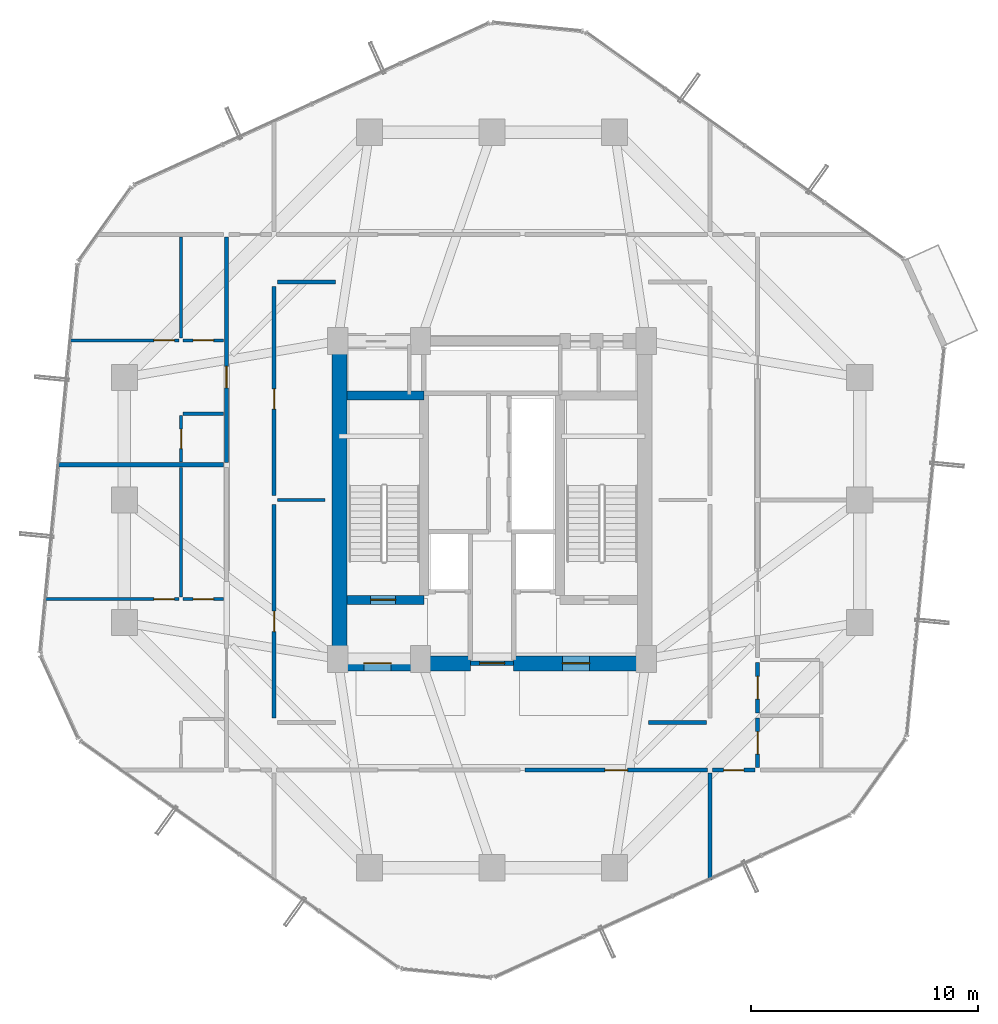
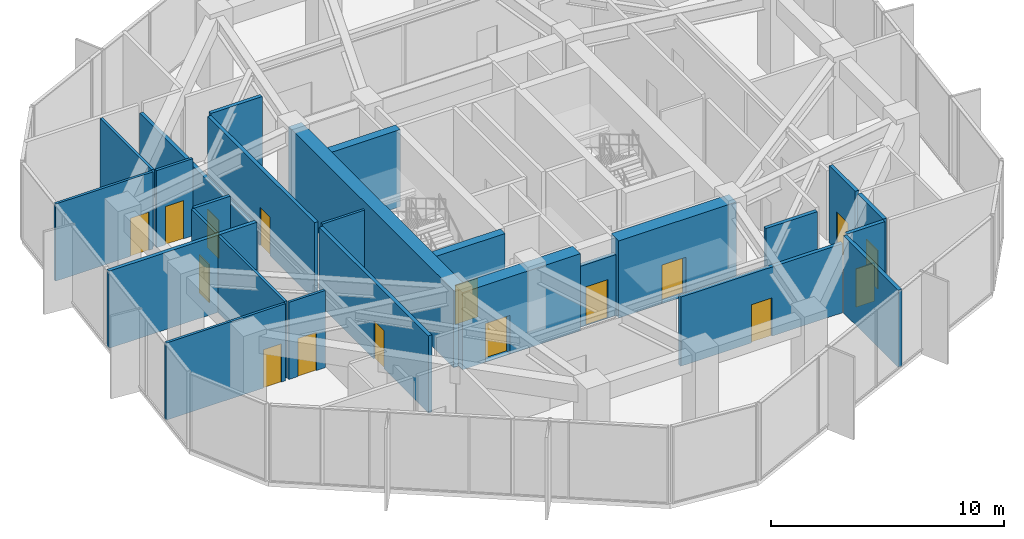
# One storey, part 21 of 25: 26 walls, 16 doors, 16 openings.
"""IFC4 building model written with IfcOpenShell, lengths in metres."""

from ifc_helpers import new_model, si_unit, direction, frame, frame_2d, origin, place, context, subcontext, project, spatial, rectangle, extrude, source, transform, mapped, material, layer, layer_set, type_object, element, fill, save


model = new_model("IFC4")

# Units and contexts
model_context = context("Model", 3, precision=1e-05, world=origin(), true_north=direction((0.0, 1.0)))
body_context = subcontext(model_context, "Body", "Model", "MODEL_VIEW")
ifc_project = project(units=[si_unit("LENGTHUNIT", "METRE"), si_unit("AREAUNIT", "SQUARE_METRE"), si_unit("VOLUMEUNIT", "CUBIC_METRE"), si_unit("PLANEANGLEUNIT", "RADIAN"), si_unit("MASSUNIT", "GRAM", prefix="KILO")], contexts=[model_context])

# Site, building, storey
site_placement = place(None, origin())
site = spatial("IfcSite", under=ifc_project, at=site_placement, CompositionType="ELEMENT")
building_placement = place(site_placement, origin())
building = spatial("IfcBuilding", under=site, at=building_placement, Name="Veraguas Prism Commons", CompositionType="ELEMENT")
storey_placement = place(building_placement, frame((0.0, 0.0, 108.949951171875)))
storey = spatial("IfcBuildingStorey", under=building, at=storey_placement, Name="L30", CompositionType="ELEMENT", Elevation=108.949951171875)

# Wall, opening, door
ifc_material_1 = material(Name="Concrete C50/60", Category="concrete")
ifc_layer_1 = layer(ifc_material_1, 0.39990234375, Name="Clinic and Mid Core Shear Wall RC 400", Category="concrete")
ifc_layer_set_1 = layer_set([ifc_layer_1], Name="Concrete C50/60")
wall_type_1 = type_object("IfcWallType", Name="Clinic and Mid Core Shear Wall RC 400", PredefinedType="SHEAR", material=ifc_layer_set_1)
wall_1_placement = place(storey_placement, frame((17.60009765625, 19.60009765625, 0.0), z_axis=(0.0, 0.0, 1.0), x_axis=(1.0, 0.0, 0.0)))
wall_1 = element("IfcWall", 1, at=wall_1_placement, inside=storey, type_object=wall_type_1, Name="Stair ST-01 South Shear Wall L30", PredefinedType="SHEAR", context=body_context, shape_type="SweptSolid", body=[
    extrude(rectangle(XDim=3.39990234375, YDim=0.39990234375, at=frame_2d((1.699951171875, 0.0))), origin(), (0.0, 0.0, 1.0), 4.050048828125),
])
opening_1_placement = place(wall_1_placement, frame((1.050048828125, 0.0, 0.0)))
opening_1 = element("IfcOpeningElement", 2, at=opening_1_placement, cuts=wall_1, Name="Opening DR-05", PredefinedType="OPENING", context=body_context, shape_type="SweptSolid", body=[
    extrude(rectangle(XDim=1.10009765625, YDim=2.030029296875, at=frame_2d((0.550048828125, 1.01513671875))), frame((0.0, 0.2099609375, 0.0), z_axis=(0.0, -1.0, 0.0), x_axis=(1.0, 0.0, 0.0)), (0.0, 0.0, 1.0), 0.419921875),
])
ifc_material_2 = material(Name="Steel fire-rated door assembly", Category="steel")
door_type_1 = type_object("IfcDoorType", Name="Protected Stair and Refuge Fire Door 1100x2030", OperationType="NOTDEFINED", PredefinedType="DOOR", material=ifc_material_2)
shared_shape_1 = source(origin(), body_context, "Body", "SweptSolid", [
    extrude(rectangle(XDim=1.10009765625, YDim=2.030029296875, at=frame_2d((0.550048828125, 1.01513671875))), frame((0.0, 0.02490234375, 0.0), z_axis=(0.0, -1.0, 0.0), x_axis=(1.0, 0.0, 0.0)), (0.0, 0.0, 1.0), 0.050048828125),
])
door_1_placement = place(opening_1_placement, origin())
door_1 = element("IfcDoor", 3, at=door_1_placement, inside=storey, type_object=door_type_1, Name="Stair ST-01 Enclosure Door L30", OperationType="SINGLE_SWING_RIGHT", OverallHeight=2.030029296875, OverallWidth=1.10009765625, PredefinedType="DOOR", context=body_context, shape_type="MappedRepresentation", body=[
    mapped(shared_shape_1, transform((0.0, 0.0, 0.0), scale=1.0)),
])
fill(opening_1, door_1)

# Walls
wall_2_placement = place(storey_placement, frame((17.60009765625, 28.60009765625, 0.0), z_axis=(0.0, 0.0, 1.0), x_axis=(1.0, 0.0, 0.0)))
element("IfcWall", 4, at=wall_2_placement, inside=storey, type_object=wall_type_1, Name="Stair ST-01 North Shear Wall L30", PredefinedType="SHEAR", context=body_context, shape_type="SweptSolid", body=[
    extrude(rectangle(XDim=3.39990234375, YDim=0.39990234375, at=frame_2d((1.699951171875, 0.0))), origin(), (0.0, 0.0, 1.0), 4.050048828125),
])
ifc_material_3 = material(Name="Concrete C55/67", Category="concrete")
ifc_layer_2 = layer(ifc_material_3, 0.64990234375, Name="Core Outer Shear Wall Mid RC 650", Category="concrete")
ifc_layer_set_2 = layer_set([ifc_layer_2], Name="Concrete C55/67")
wall_type_2 = type_object("IfcWallType", Name="Core Outer Shear Wall Mid RC 650", PredefinedType="SHEAR", material=ifc_layer_set_2)
wall_3_placement = place(storey_placement, frame((17.27490234375, 16.800048828125, 0.0), z_axis=(0.0, 0.0, 1.0), x_axis=(0.0, 1.0, 0.0)))
element("IfcWall", 5, at=wall_3_placement, inside=storey, type_object=wall_type_2, Name="Central Core West Shear Wall L30", PredefinedType="SHEAR", context=body_context, shape_type="SweptSolid", body=[
    extrude(rectangle(XDim=14.199951171875, YDim=0.64990234375, at=frame_2d((7.10009765625, 0.0))), origin(), (0.0, 0.0, 1.0), 4.050048828125),
])

# Wall, opening, door
wall_4_placement = place(storey_placement, frame((17.199951171875, 16.800048828125, 0.0), z_axis=(0.0, 0.0, 1.0), x_axis=(1.0, 0.0, 0.0)))
wall_4 = element("IfcWall", 6, at=wall_4_placement, inside=storey, type_object=wall_type_2, Name="Central Core South-West Shear Wall L30", PredefinedType="SHEAR", context=body_context, shape_type="SweptSolid", body=[
    extrude(rectangle(XDim=5.85009765625, YDim=0.64990234375, at=frame_2d((2.925048828125, 0.0))), origin(), (0.0, 0.0, 1.0), 4.050048828125),
])
opening_2_placement = place(wall_4_placement, frame((1.14990234375, 0.0, 0.0)))
opening_2 = element("IfcOpeningElement", 7, at=opening_2_placement, cuts=wall_4, Name="Opening DR-06", PredefinedType="OPENING", context=body_context, shape_type="SweptSolid", body=[
    extrude(rectangle(XDim=1.199951171875, YDim=2.030029296875, at=frame_2d((0.60009765625, 1.01513671875))), frame((0.0, 0.3349609375, 0.0), z_axis=(0.0, -1.0, 0.0), x_axis=(1.0, 0.0, 0.0)), (0.0, 0.0, 1.0), 0.669921875),
])
door_type_2 = type_object("IfcDoorType", Name="Firefighting Lobby Smoke Door 1200x2030", OperationType="NOTDEFINED", PredefinedType="DOOR", material=ifc_material_2)
shared_shape_2 = source(origin(), body_context, "Body", "SweptSolid", [
    extrude(rectangle(XDim=1.199951171875, YDim=2.030029296875, at=frame_2d((0.60009765625, 1.01513671875))), frame((0.0, 0.02490234375, 0.0), z_axis=(0.0, -1.0, 0.0), x_axis=(1.0, 0.0, 0.0)), (0.0, 0.0, 1.0), 0.050048828125),
])
door_2_placement = place(opening_2_placement, origin())
door_2 = element("IfcDoor", 8, at=door_2_placement, inside=storey, type_object=door_type_2, Name="West FF Lobby Door L30", OperationType="SINGLE_SWING_RIGHT", OverallHeight=2.030029296875, OverallWidth=1.199951171875, PredefinedType="DOOR", context=body_context, shape_type="MappedRepresentation", body=[
    mapped(shared_shape_2, transform((0.0, 0.0, 0.0), scale=1.0)),
])
fill(opening_2, door_2)

wall_5_placement = place(storey_placement, frame((24.949951171875, 16.800048828125, 0.0), z_axis=(0.0, 0.0, 1.0), x_axis=(1.0, 0.0, 0.0)))
wall_5 = element("IfcWall", 9, at=wall_5_placement, inside=storey, type_object=wall_type_2, Name="Central Core South-East Shear Wall L30", PredefinedType="SHEAR", context=body_context, shape_type="SweptSolid", body=[
    extrude(rectangle(XDim=5.85009765625, YDim=0.64990234375, at=frame_2d((2.925048828125, 0.0))), origin(), (0.0, 0.0, 1.0), 4.050048828125),
])
opening_3_placement = place(wall_5_placement, frame((2.14990234375, 0.0, 0.0)))
opening_3 = element("IfcOpeningElement", 10, at=opening_3_placement, cuts=wall_5, Name="Opening DR-06", PredefinedType="OPENING", context=body_context, shape_type="SweptSolid", body=[
    extrude(rectangle(XDim=1.199951171875, YDim=2.030029296875, at=frame_2d((0.60009765625, 1.01513671875))), frame((0.0, 0.3349609375, 0.0), z_axis=(0.0, -1.0, 0.0), x_axis=(1.0, 0.0, 0.0)), (0.0, 0.0, 1.0), 0.669921875),
])
door_3_placement = place(opening_3_placement, origin())
door_3 = element("IfcDoor", 11, at=door_3_placement, inside=storey, type_object=door_type_2, Name="East FF Lobby Door L30", OperationType="SINGLE_SWING_RIGHT", OverallHeight=2.030029296875, OverallWidth=1.199951171875, PredefinedType="DOOR", context=body_context, shape_type="MappedRepresentation", body=[
    mapped(shared_shape_2, transform((0.0, 0.0, 0.0), scale=1.0)),
])
fill(opening_3, door_3)

ifc_material_4 = material(Name="Autoclaved aerated masonry block 10 MPa", Category="masonry")
ifc_layer_3 = layer(ifc_material_4, 0.179931640625, Name="Corridor and Inter-Tenancy Partition 180", Category="masonry")
ifc_layer_set_3 = layer_set([ifc_layer_3], Name="Autoclaved aerated masonry block 10 MPa")
wall_type_3 = type_object("IfcWallType", Name="Corridor and Inter-Tenancy Partition 180", PredefinedType="PARTITIONING", material=ifc_layer_set_3)
wall_6_placement = place(storey_placement, frame((14.39990234375, 14.39990234375, 0.0), z_axis=(0.0, 0.0, 1.0), x_axis=(0.0, 1.0, 0.0)))
wall_6 = element("IfcWall", 12, at=wall_6_placement, inside=storey, type_object=wall_type_3, Name="WL-L30-IRW1", PredefinedType="PARTITIONING", context=body_context, shape_type="SweptSolid", body=[
    extrude(rectangle(XDim=9.400146484375, YDim=0.179931640625, at=frame_2d((4.7001953125, 0.0))), origin(), (0.0, 0.0, 1.0), 4.050048828125),
])
opening_4_placement = place(wall_6_placement, frame((3.800048828125, 0.0, 0.0)))
opening_4 = element("IfcOpeningElement", 13, at=opening_4_placement, cuts=wall_6, Name="Opening DR-14", PredefinedType="OPENING", context=body_context, shape_type="SweptSolid", body=[
    extrude(rectangle(XDim=0.89990234375, YDim=2.010009765625, at=frame_2d((0.449951171875, 1.0048828125))), frame((0.0, 0.099853515625, 0.0), z_axis=(0.0, -1.0, 0.0), x_axis=(1.0, 0.0, 0.0)), (0.0, 0.0, 1.0), 0.199951171875),
])
door_type_3 = type_object("IfcDoorType", Name="Core Service Room Fire Door 900x2010", OperationType="NOTDEFINED", PredefinedType="DOOR", material=ifc_material_2)
shared_shape_3 = source(origin(), body_context, "Body", "SweptSolid", [
    extrude(rectangle(XDim=0.89990234375, YDim=2.010009765625, at=frame_2d((0.449951171875, 1.0048828125))), frame((0.0, 0.02490234375, 0.0), z_axis=(0.0, -1.0, 0.0), x_axis=(1.0, 0.0, 0.0)), (0.0, 0.0, 1.0), 0.050048828125),
])
door_4_placement = place(opening_4_placement, origin())
door_4 = element("IfcDoor", 14, at=door_4_placement, inside=storey, type_object=door_type_3, Name="Residents Quiet Study Pod Door L30", OperationType="SINGLE_SWING_LEFT", OverallHeight=2.010009765625, OverallWidth=0.89990234375, PredefinedType="DOOR", context=body_context, shape_type="MappedRepresentation", body=[
    mapped(shared_shape_3, transform((0.0, 0.0, 0.0), scale=1.0)),
])
fill(opening_4, door_4)

wall_7_placement = place(storey_placement, frame((14.39990234375, 24.199951171875, 0.0), z_axis=(0.0, 0.0, 1.0), x_axis=(0.0, 1.0, 0.0)))
wall_7 = element("IfcWall", 15, at=wall_7_placement, inside=storey, type_object=wall_type_3, Name="WL-L30-IRW2", PredefinedType="PARTITIONING", context=body_context, shape_type="SweptSolid", body=[
    extrude(rectangle(XDim=9.199951171875, YDim=0.179931640625, at=frame_2d((4.60009765625, 0.0))), origin(), (0.0, 0.0, 1.0), 4.050048828125),
])
opening_5_placement = place(wall_7_placement, frame((3.800048828125, 0.0, 0.0)))
opening_5 = element("IfcOpeningElement", 16, at=opening_5_placement, cuts=wall_7, Name="Opening DR-14", PredefinedType="OPENING", context=body_context, shape_type="SweptSolid", body=[
    extrude(rectangle(XDim=0.89990234375, YDim=2.010009765625, at=frame_2d((0.449951171875, 1.0048828125))), frame((0.0, 0.099853515625, 0.0), z_axis=(0.0, -1.0, 0.0), x_axis=(1.0, 0.0, 0.0)), (0.0, 0.0, 1.0), 0.199951171875),
])
door_5_placement = place(opening_5_placement, origin())
door_5 = element("IfcDoor", 17, at=door_5_placement, inside=storey, type_object=door_type_3, Name="Co-op Cycle and Pram Store Door L30", OperationType="SINGLE_SWING_RIGHT", OverallHeight=2.010009765625, OverallWidth=0.89990234375, PredefinedType="DOOR", context=body_context, shape_type="MappedRepresentation", body=[
    mapped(shared_shape_3, transform((0.0, 0.0, 0.0), scale=1.0)),
])
fill(opening_5, door_5)

# Walls
for number, where, z_axis, x_axis, name in (
    (18, (14.550048828125, 33.60009765625, 0.0), (0.0, 0.0, 1.0), (1.0, 0.0, 0.0), "WL-L30-IRWN"),
    (19, (30.89990234375, 14.199951171875, 0.0), (0.0, 0.0, 1.0), (1.0, 0.0, 0.0), "WL-L30-IRES"),
):
    element("IfcWall", number, at=place(storey_placement, frame(where, z_axis=z_axis, x_axis=x_axis)), inside=storey, type_object=wall_type_3, Name=name, PredefinedType="PARTITIONING", context=body_context, shape_type="SweptSolid", body=[
        extrude(rectangle(XDim=2.550048828125, YDim=0.179931640625, at=frame_2d((1.27490234375, 0.0))), origin(), (0.0, 0.0, 1.0), 4.050048828125),
    ])
wall_8_placement = place(storey_placement, frame((33.60009765625, 11.97998046875, 0.0), z_axis=(0.0, 0.0, 1.0), x_axis=(0.0, -1.0, 0.0)))
element("IfcWall", 20, at=wall_8_placement, inside=storey, type_object=wall_type_3, Name="WL-L30-PT002", PredefinedType="PARTITIONING", context=body_context, shape_type="SweptSolid", body=[
    extrude(rectangle(XDim=4.718505859375, YDim=0.179931640625, at=frame_2d((2.359375, 0.0))), origin(), (0.0, 0.0, 1.0), 4.050048828125),
])

# Wall, opening, door
wall_9_placement = place(storey_placement, frame((25.4541015625, 12.10009765625, 0.0), z_axis=(0.0, 0.0, 1.0), x_axis=(1.0, 0.0, 0.0)))
wall_9 = element("IfcWall", 21, at=wall_9_placement, inside=storey, type_object=wall_type_3, Name="WL-L30-PT004", PredefinedType="PARTITIONING", context=body_context, shape_type="SweptSolid", body=[
    extrude(rectangle(XDim=8.035888671875, YDim=0.179931640625, at=frame_2d((4.01806640625, 0.0))), origin(), (0.0, 0.0, 1.0), 3.630126953125),
])
opening_6_placement = place(wall_9_placement, frame((3.51806640625, 0.0, 0.0)))
opening_6 = element("IfcOpeningElement", 22, at=opening_6_placement, cuts=wall_9, Name="Opening DR-13", PredefinedType="OPENING", context=body_context, shape_type="SweptSolid", body=[
    extrude(rectangle(XDim=1.0, YDim=2.010009765625, at=frame_2d((0.5, 1.0048828125))), frame((0.0, 0.099853515625, 0.0), z_axis=(0.0, -1.0, 0.0), x_axis=(1.0, 0.0, 0.0)), (0.0, 0.0, 1.0), 0.199951171875),
])
door_type_4 = type_object("IfcDoorType", Name="Core Accessible WC and Clinic Fire Door 1000x2010", OperationType="NOTDEFINED", PredefinedType="DOOR", material=ifc_material_2)
shared_shape_4 = source(origin(), body_context, "Body", "SweptSolid", [
    extrude(rectangle(XDim=1.0, YDim=2.010009765625, at=frame_2d((0.5, 1.0048828125))), frame((0.0, 0.02490234375, 0.0), z_axis=(0.0, -1.0, 0.0), x_axis=(1.0, 0.0, 0.0)), (0.0, 0.0, 1.0), 0.050048828125),
])
door_6_placement = place(opening_6_placement, origin())
door_6 = element("IfcDoor", 23, at=door_6_placement, inside=storey, type_object=door_type_4, Name="Community Multipurpose Assembly Hall Door 2", OperationType="SINGLE_SWING_RIGHT", OverallHeight=2.010009765625, OverallWidth=1.0, PredefinedType="DOOR", context=body_context, shape_type="MappedRepresentation", body=[
    mapped(shared_shape_4, transform((0.0, 0.0, 0.0), scale=1.0)),
])
fill(opening_6, door_6)

# Wall
wall_10_placement = place(storey_placement, frame((12.179931640625, 25.552001953125, 0.0), z_axis=(0.0, 0.0, 1.0), x_axis=(-1.0, 0.0, 0.0)))
element("IfcWall", 24, at=wall_10_placement, inside=storey, type_object=wall_type_3, Name="WL-L30-PT017", PredefinedType="PARTITIONING", context=body_context, shape_type="SweptSolid", body=[
    extrude(rectangle(XDim=7.331787109375, YDim=0.179931640625, at=frame_2d((3.666015625, 0.0))), origin(), (0.0, 0.0, 1.0), 4.050048828125),
])

# Wall, opening, door
wall_11_placement = place(storey_placement, frame((12.300048828125, 25.662109375, 0.0), z_axis=(0.0, 0.0, 1.0), x_axis=(0.0, 1.0, 0.0)))
wall_11 = element("IfcWall", 25, at=wall_11_placement, inside=storey, type_object=wall_type_3, Name="WL-L30-PT018", PredefinedType="PARTITIONING", context=body_context, shape_type="SweptSolid", body=[
    extrude(rectangle(XDim=9.927978515625, YDim=0.179931640625, at=frame_2d((4.9638671875, 0.0))), origin(), (0.0, 0.0, 1.0), 3.630126953125),
])
opening_7_placement = place(wall_11_placement, frame((3.280029296875, 0.0, 0.0)))
opening_7 = element("IfcOpeningElement", 26, at=opening_7_placement, cuts=wall_11, Name="Opening DR-01", PredefinedType="OPENING", context=body_context, shape_type="SweptSolid", body=[
    extrude(rectangle(XDim=0.949951171875, YDim=2.02001953125, at=frame_2d((0.47509765625, 1.010009765625))), frame((0.0, 0.099853515625, 0.0), z_axis=(0.0, -1.0, 0.0), x_axis=(1.0, 0.0, 0.0)), (0.0, 0.0, 1.0), 0.199951171875),
])
ifc_material_5 = material(Name="Anodised aluminium EN AW-6063 T6", Category="aluminium")
door_type_5 = type_object("IfcDoorType", Name="Apartment Entrance Fire Door 950x2020", OperationType="NOTDEFINED", PredefinedType="DOOR", material=ifc_material_5)
shared_shape_5 = source(origin(), body_context, "Body", "SweptSolid", [
    extrude(rectangle(XDim=0.949951171875, YDim=2.02001953125, at=frame_2d((0.47509765625, 1.010009765625))), frame((0.0, 0.02490234375, 0.0), z_axis=(0.0, -1.0, 0.0), x_axis=(1.0, 0.0, 0.0)), (0.0, 0.0, 1.0), 0.050048828125),
])
door_7_placement = place(opening_7_placement, origin())
door_7 = element("IfcDoor", 27, at=door_7_placement, inside=storey, type_object=door_type_5, Name="Flat 30B Entrance Door", OperationType="SINGLE_SWING_LEFT", OverallHeight=2.02001953125, OverallWidth=0.949951171875, PredefinedType="DOOR", context=body_context, shape_type="MappedRepresentation", body=[
    mapped(shared_shape_5, transform((0.0, 0.0, 0.0), scale=1.0)),
])
fill(opening_7, door_7)

wall_12_placement = place(storey_placement, frame((35.699951171875, 12.2099609375, 0.0), z_axis=(0.0, 0.0, 1.0), x_axis=(0.0, 1.0, 0.0)))
wall_12 = element("IfcWall", 28, at=wall_12_placement, inside=storey, type_object=wall_type_3, Name="WL-L30-PT026", PredefinedType="PARTITIONING", context=body_context, shape_type="SweptSolid", body=[
    extrude(rectangle(XDim=2.179931640625, YDim=0.179931640625, at=frame_2d((1.08984375, 0.0))), origin(), (0.0, 0.0, 1.0), 4.050048828125),
])
opening_8_placement = place(wall_12_placement, frame((0.590087890625, 0.0, 0.0)))
opening_8 = element("IfcOpeningElement", 29, at=opening_8_placement, cuts=wall_12, Name="Opening DR-13", PredefinedType="OPENING", context=body_context, shape_type="SweptSolid", body=[
    extrude(rectangle(XDim=1.0, YDim=2.010009765625, at=frame_2d((0.5, 1.0048828125))), frame((0.0, 0.099853515625, 0.0), z_axis=(0.0, -1.0, 0.0), x_axis=(1.0, 0.0, 0.0)), (0.0, 0.0, 1.0), 0.199951171875),
])
door_8_placement = place(opening_8_placement, origin())
door_8 = element("IfcDoor", 30, at=door_8_placement, inside=storey, type_object=door_type_4, Name="Public WC L30 Door", OperationType="SINGLE_SWING_LEFT", OverallHeight=2.010009765625, OverallWidth=1.0, PredefinedType="DOOR", context=body_context, shape_type="MappedRepresentation", body=[
    mapped(shared_shape_4, transform((0.0, 0.0, 0.0), scale=1.0)),
])
fill(opening_8, door_8)

wall_13_placement = place(storey_placement, frame((35.699951171875, 14.610107421875, 0.0), z_axis=(0.0, 0.0, 1.0), x_axis=(0.0, 1.0, 0.0)))
wall_13 = element("IfcWall", 31, at=wall_13_placement, inside=storey, type_object=wall_type_3, Name="WL-L30-PT027", PredefinedType="PARTITIONING", context=body_context, shape_type="SweptSolid", body=[
    extrude(rectangle(XDim=2.22998046875, YDim=0.179931640625, at=frame_2d((1.114990234375, 0.0))), origin(), (0.0, 0.0, 1.0), 4.050048828125),
])
opening_9_placement = place(wall_13_placement, frame((0.614990234375, 0.0, 0.0)))
opening_9 = element("IfcOpeningElement", 32, at=opening_9_placement, cuts=wall_13, Name="Opening DR-13", PredefinedType="OPENING", context=body_context, shape_type="SweptSolid", body=[
    extrude(rectangle(XDim=1.0, YDim=2.010009765625, at=frame_2d((0.5, 1.0048828125))), frame((0.0, 0.099853515625, 0.0), z_axis=(0.0, -1.0, 0.0), x_axis=(1.0, 0.0, 0.0)), (0.0, 0.0, 1.0), 0.199951171875),
])
door_9_placement = place(opening_9_placement, origin())
door_9 = element("IfcDoor", 33, at=door_9_placement, inside=storey, type_object=door_type_4, Name="Accessible WC L30 Door", OperationType="SINGLE_SWING_RIGHT", OverallHeight=2.010009765625, OverallWidth=1.0, PredefinedType="DOOR", context=body_context, shape_type="MappedRepresentation", body=[
    mapped(shared_shape_4, transform((0.0, 0.0, 0.0), scale=1.0)),
])
fill(opening_9, door_9)

wall_14_placement = place(storey_placement, frame((33.719970703125, 12.10009765625, 0.0), z_axis=(0.0, 0.0, 1.0), x_axis=(1.0, 0.0, 0.0)))
wall_14 = element("IfcWall", 34, at=wall_14_placement, inside=storey, type_object=wall_type_3, Name="WL-L30-PT036", PredefinedType="PARTITIONING", context=body_context, shape_type="SweptSolid", body=[
    extrude(rectangle(XDim=1.860107421875, YDim=0.179931640625, at=frame_2d((0.93017578125, 0.0))), origin(), (0.0, 0.0, 1.0), 4.050048828125),
])
opening_10_placement = place(wall_14_placement, frame((0.47998046875, 0.0, 0.0)))
opening_10 = element("IfcOpeningElement", 35, at=opening_10_placement, cuts=wall_14, Name="Opening DR-14", PredefinedType="OPENING", context=body_context, shape_type="SweptSolid", body=[
    extrude(rectangle(XDim=0.89990234375, YDim=2.010009765625, at=frame_2d((0.449951171875, 1.0048828125))), frame((0.0, 0.099853515625, 0.0), z_axis=(0.0, -1.0, 0.0), x_axis=(1.0, 0.0, 0.0)), (0.0, 0.0, 1.0), 0.199951171875),
])
door_10_placement = place(opening_10_placement, origin())
door_10 = element("IfcDoor", 36, at=door_10_placement, inside=storey, type_object=door_type_3, Name="Corner Study SE Door", OperationType="SINGLE_SWING_RIGHT", OverallHeight=2.010009765625, OverallWidth=0.89990234375, PredefinedType="DOOR", context=body_context, shape_type="MappedRepresentation", body=[
    mapped(shared_shape_3, transform((0.0, 0.0, 0.0), scale=1.0)),
])
fill(opening_10, door_10)

# Wall
ifc_material_6 = material(Name="Lightweight acoustic gypsum board")
ifc_layer_4 = layer(ifc_material_6, 0.125, Name="Internal Apartment Room Partition 125")
ifc_layer_set_4 = layer_set([ifc_layer_4], Name="Lightweight acoustic gypsum board")
wall_type_4 = type_object("IfcWallType", Name="Internal Apartment Room Partition 125", PredefinedType="PARTITIONING", material=ifc_layer_set_4)
wall_15_placement = place(storey_placement, frame((14.550048828125, 24.0, 0.0), z_axis=(0.0, 0.0, 1.0), x_axis=(1.0, 0.0, 0.0)))
element("IfcWall", 37, at=wall_15_placement, inside=storey, type_object=wall_type_4, Name="WL-L30-IRWM", PredefinedType="PARTITIONING", context=body_context, shape_type="SweptSolid", body=[
    extrude(rectangle(XDim=2.099853515625, YDim=0.125, at=frame_2d((1.0498046875, 0.0))), origin(), (0.0, 0.0, 1.0), 4.050048828125),
])

# Wall, opening, door
wall_16_placement = place(storey_placement, frame((12.179931640625, 19.633056640625, 0.0), z_axis=(0.0, 0.0, 1.0), x_axis=(-1.0, 0.0, 0.0)))
wall_16 = element("IfcWall", 38, at=wall_16_placement, inside=storey, type_object=wall_type_4, Name="WL-L30-PT014", PredefinedType="PARTITIONING", context=body_context, shape_type="SweptSolid", body=[
    extrude(rectangle(XDim=1.800048828125, YDim=0.125, at=frame_2d((0.89990234375, 0.0))), origin(), (0.0, 0.0, 1.0), 4.050048828125),
])
opening_11_placement = place(wall_16_placement, frame((0.449951171875, 0.0, 0.0)))
opening_11 = element("IfcOpeningElement", 39, at=opening_11_placement, cuts=wall_16, Name="Opening DR-02", PredefinedType="OPENING", context=body_context, shape_type="SweptSolid", body=[
    extrude(rectangle(XDim=0.89990234375, YDim=2.010009765625, at=frame_2d((0.449951171875, 1.0048828125))), frame((0.0, 0.072509765625, 0.0), z_axis=(0.0, -1.0, 0.0), x_axis=(1.0, 0.0, 0.0)), (0.0, 0.0, 1.0), 0.14501953125),
])
ifc_material_7 = material(Name="Timber solid core hardwood", Category="wood")
door_type_6 = type_object("IfcDoorType", Name="Internal Habitable Room Door 900x2010", OperationType="NOTDEFINED", PredefinedType="DOOR", material=ifc_material_7)
door_11_placement = place(opening_11_placement, origin())
door_11 = element("IfcDoor", 40, at=door_11_placement, inside=storey, type_object=door_type_6, Name="Flat 30A Kitchen Door", OperationType="SINGLE_SWING_LEFT", OverallHeight=2.010009765625, OverallWidth=0.89990234375, PredefinedType="DOOR", context=body_context, shape_type="MappedRepresentation", body=[
    mapped(shared_shape_3, transform((0.0, 0.0, 0.0), scale=1.0)),
])
fill(opening_11, door_11)

# Wall
wall_17_placement = place(storey_placement, frame((10.300048828125, 19.73291015625, 0.0), z_axis=(0.0, 0.0, 1.0), x_axis=(0.0, 1.0, 0.0)))
element("IfcWall", 41, at=wall_17_placement, inside=storey, type_object=wall_type_4, Name="WL-L30-PT015", PredefinedType="PARTITIONING", context=body_context, shape_type="SweptSolid", body=[
    extrude(rectangle(XDim=5.698974609375, YDim=0.125, at=frame_2d((2.849609375, 0.0))), origin(), (0.0, 0.0, 1.0), 4.050048828125),
])

# Wall, opening, door
wall_18_placement = place(storey_placement, frame((10.199951171875, 19.633056640625, 0.0), z_axis=(0.0, 0.0, 1.0), x_axis=(-1.0, 0.0, 0.0)))
wall_18 = element("IfcWall", 42, at=wall_18_placement, inside=storey, type_object=wall_type_4, Name="WL-L30-PT016", PredefinedType="PARTITIONING", context=body_context, shape_type="SweptSolid", body=[
    extrude(rectangle(XDim=5.921630859375, YDim=0.125, at=frame_2d((2.9609375, 0.0))), origin(), (0.0, 0.0, 1.0), 4.050048828125),
])
opening_12_placement = place(wall_18_placement, frame((0.199951171875, 0.0, 0.0)))
opening_12 = element("IfcOpeningElement", 43, at=opening_12_placement, cuts=wall_18, Name="Opening DR-02", PredefinedType="OPENING", context=body_context, shape_type="SweptSolid", body=[
    extrude(rectangle(XDim=0.89990234375, YDim=2.010009765625, at=frame_2d((0.449951171875, 1.0048828125))), frame((0.0, 0.072509765625, 0.0), z_axis=(0.0, -1.0, 0.0), x_axis=(1.0, 0.0, 0.0)), (0.0, 0.0, 1.0), 0.14501953125),
])
door_12_placement = place(opening_12_placement, origin())
door_12 = element("IfcDoor", 44, at=door_12_placement, inside=storey, type_object=door_type_6, Name="Flat 30A Bedroom 1 Door", OperationType="SINGLE_SWING_RIGHT", OverallHeight=2.010009765625, OverallWidth=0.89990234375, PredefinedType="DOOR", context=body_context, shape_type="MappedRepresentation", body=[
    mapped(shared_shape_3, transform((0.0, 0.0, 0.0), scale=1.0)),
])
fill(opening_12, door_12)

wall_19_placement = place(storey_placement, frame((10.300048828125, 25.672119140625, 0.0), z_axis=(0.0, 0.0, 1.0), x_axis=(0.0, 1.0, 0.0)))
wall_19 = element("IfcWall", 45, at=wall_19_placement, inside=storey, type_object=wall_type_4, Name="WL-L30-PT020", PredefinedType="PARTITIONING", context=body_context, shape_type="SweptSolid", body=[
    extrude(rectangle(XDim=2.0498046875, YDim=0.125, at=frame_2d((1.02490234375, 0.0))), origin(), (0.0, 0.0, 1.0), 4.050048828125),
])
opening_13_placement = place(wall_19_placement, frame((0.594970703125, 0.0, 0.0)))
opening_13 = element("IfcOpeningElement", 46, at=opening_13_placement, cuts=wall_19, Name="Opening DR-03", PredefinedType="OPENING", context=body_context, shape_type="SweptSolid", body=[
    extrude(rectangle(XDim=0.860107421875, YDim=2.010009765625, at=frame_2d((0.43017578125, 1.0048828125))), frame((0.0, 0.072509765625, 0.0), z_axis=(0.0, -1.0, 0.0), x_axis=(1.0, 0.0, 0.0)), (0.0, 0.0, 1.0), 0.14501953125),
])
ifc_material_8 = material(Name="Timber moisture-resistant leaf", Category="wood")
door_type_7 = type_object("IfcDoorType", Name="Internal Bathroom Door 860x2010", OperationType="NOTDEFINED", PredefinedType="DOOR", material=ifc_material_8)
shared_shape_6 = source(origin(), body_context, "Body", "SweptSolid", [
    extrude(rectangle(XDim=0.860107421875, YDim=2.010009765625, at=frame_2d((0.43017578125, 1.0048828125))), frame((0.0, 0.02490234375, 0.0), z_axis=(0.0, -1.0, 0.0), x_axis=(1.0, 0.0, 0.0)), (0.0, 0.0, 1.0), 0.050048828125),
])
door_13_placement = place(opening_13_placement, origin())
door_13 = element("IfcDoor", 47, at=door_13_placement, inside=storey, type_object=door_type_7, Name="Flat 30B Bathroom Door", OperationType="SINGLE_SWING_RIGHT", OverallHeight=2.010009765625, OverallWidth=0.860107421875, PredefinedType="DOOR", context=body_context, shape_type="MappedRepresentation", body=[
    mapped(shared_shape_6, transform((0.0, 0.0, 0.0), scale=1.0)),
])
fill(opening_13, door_13)

wall_20_placement = place(storey_placement, frame((12.179931640625, 31.031982421875, 0.0), z_axis=(0.0, 0.0, 1.0), x_axis=(-1.0, 0.0, 0.0)))
wall_20 = element("IfcWall", 48, at=wall_20_placement, inside=storey, type_object=wall_type_4, Name="WL-L30-PT021", PredefinedType="PARTITIONING", context=body_context, shape_type="SweptSolid", body=[
    extrude(rectangle(XDim=1.800048828125, YDim=0.125, at=frame_2d((0.89990234375, 0.0))), origin(), (0.0, 0.0, 1.0), 4.050048828125),
])
opening_14_placement = place(wall_20_placement, frame((0.449951171875, 0.0, 0.0)))
opening_14 = element("IfcOpeningElement", 49, at=opening_14_placement, cuts=wall_20, Name="Opening DR-02", PredefinedType="OPENING", context=body_context, shape_type="SweptSolid", body=[
    extrude(rectangle(XDim=0.89990234375, YDim=2.010009765625, at=frame_2d((0.449951171875, 1.0048828125))), frame((0.0, 0.072509765625, 0.0), z_axis=(0.0, -1.0, 0.0), x_axis=(1.0, 0.0, 0.0)), (0.0, 0.0, 1.0), 0.14501953125),
])
door_14_placement = place(opening_14_placement, origin())
door_14 = element("IfcDoor", 50, at=door_14_placement, inside=storey, type_object=door_type_6, Name="Flat 30B Kitchen Door", OperationType="SINGLE_SWING_LEFT", OverallHeight=2.010009765625, OverallWidth=0.89990234375, PredefinedType="DOOR", context=body_context, shape_type="MappedRepresentation", body=[
    mapped(shared_shape_3, transform((0.0, 0.0, 0.0), scale=1.0)),
])
fill(opening_14, door_14)

# Wall
wall_21_placement = place(storey_placement, frame((10.300048828125, 31.132080078125, 0.0), z_axis=(0.0, 0.0, 1.0), x_axis=(0.0, 1.0, 0.0)))
element("IfcWall", 51, at=wall_21_placement, inside=storey, type_object=wall_type_4, Name="WL-L30-PT022", PredefinedType="PARTITIONING", context=body_context, shape_type="SweptSolid", body=[
    extrude(rectangle(XDim=4.447998046875, YDim=0.125, at=frame_2d((2.22412109375, 0.0))), origin(), (0.0, 0.0, 1.0), 4.050048828125),
])

# Wall, opening, door
wall_22_placement = place(storey_placement, frame((10.199951171875, 31.031982421875, 0.0), z_axis=(0.0, 0.0, 1.0), x_axis=(-1.0, 0.0, 0.0)))
wall_22 = element("IfcWall", 52, at=wall_22_placement, inside=storey, type_object=wall_type_4, Name="WL-L30-PT023", PredefinedType="PARTITIONING", context=body_context, shape_type="SweptSolid", body=[
    extrude(rectangle(XDim=4.82421875, YDim=0.125, at=frame_2d((2.412109375, 0.0))), origin(), (0.0, 0.0, 1.0), 4.050048828125),
])
opening_15_placement = place(wall_22_placement, frame((0.199951171875, 0.0, 0.0)))
opening_15 = element("IfcOpeningElement", 53, at=opening_15_placement, cuts=wall_22, Name="Opening DR-02", PredefinedType="OPENING", context=body_context, shape_type="SweptSolid", body=[
    extrude(rectangle(XDim=0.89990234375, YDim=2.010009765625, at=frame_2d((0.449951171875, 1.0048828125))), frame((0.0, 0.072509765625, 0.0), z_axis=(0.0, -1.0, 0.0), x_axis=(1.0, 0.0, 0.0)), (0.0, 0.0, 1.0), 0.14501953125),
])
door_15_placement = place(opening_15_placement, origin())
door_15 = element("IfcDoor", 54, at=door_15_placement, inside=storey, type_object=door_type_6, Name="Flat 30B Bedroom 1 Door", OperationType="SINGLE_SWING_RIGHT", OverallHeight=2.010009765625, OverallWidth=0.89990234375, PredefinedType="DOOR", context=body_context, shape_type="MappedRepresentation", body=[
    mapped(shared_shape_3, transform((0.0, 0.0, 0.0), scale=1.0)),
])
fill(opening_15, door_15)

ifc_layer_5 = layer(ifc_material_4, 0.199951171875, Name="Rated Shaft and Lobby Block Wall 200", Category="masonry")
ifc_layer_set_5 = layer_set([ifc_layer_5], Name="Autoclaved aerated masonry block 10 MPa")
wall_type_5 = type_object("IfcWallType", Name="Rated Shaft and Lobby Block Wall 200", PredefinedType="SOLIDWALL", material=ifc_layer_set_5)
wall_23_placement = place(storey_placement, frame((23.050048828125, 16.800048828125, 0.0), z_axis=(0.0, 0.0, 1.0), x_axis=(1.0, 0.0, 0.0)))
wall_23 = element("IfcWall", 55, at=wall_23_placement, inside=storey, type_object=wall_type_5, Name="Central Core Lobby Entrance Wall L30", PredefinedType="SOLIDWALL", context=body_context, shape_type="SweptSolid", body=[
    extrude(rectangle(XDim=1.89990234375, YDim=0.199951171875, at=frame_2d((0.949951171875, 0.0))), origin(), (0.0, 0.0, 1.0), 3.199951171875),
])
opening_16_placement = place(wall_23_placement, frame((0.39990234375, 0.0, 0.0)))
opening_16 = element("IfcOpeningElement", 56, at=opening_16_placement, cuts=wall_23, Name="Opening DR-05", PredefinedType="OPENING", context=body_context, shape_type="SweptSolid", body=[
    extrude(rectangle(XDim=1.10009765625, YDim=2.030029296875, at=frame_2d((0.550048828125, 1.01513671875))), frame((0.0, 0.10986328125, 0.0), z_axis=(0.0, -1.0, 0.0), x_axis=(1.0, 0.0, 0.0)), (0.0, 0.0, 1.0), 0.219970703125),
])
door_16_placement = place(opening_16_placement, origin())
door_16 = element("IfcDoor", 57, at=door_16_placement, inside=storey, type_object=door_type_1, Name="Central Lobby Door L30", OperationType="SINGLE_SWING_LEFT", OverallHeight=2.030029296875, OverallWidth=1.10009765625, PredefinedType="DOOR", context=body_context, shape_type="MappedRepresentation", body=[
    mapped(shared_shape_1, transform((0.0, 0.0, 0.0), scale=1.0)),
])
fill(opening_16, door_16)

# Wall
ifc_layer_6 = layer(ifc_material_6, 0.14990234375, Name="Wet Room and Clinic Acoustic Partition 150")
ifc_layer_set_6 = layer_set([ifc_layer_6], Name="Lightweight acoustic gypsum board")
wall_type_6 = type_object("IfcWallType", Name="Wet Room and Clinic Acoustic Partition 150", PredefinedType="PARTITIONING", material=ifc_layer_set_6)
wall_24_placement = place(storey_placement, frame((12.179931640625, 27.802001953125, 0.0), z_axis=(0.0, 0.0, 1.0), x_axis=(-1.0, 0.0, 0.0)))
element("IfcWall", 58, at=wall_24_placement, inside=storey, type_object=wall_type_6, Name="WL-L30-PT019", PredefinedType="PARTITIONING", context=body_context, shape_type="SweptSolid", body=[
    extrude(rectangle(XDim=1.800048828125, YDim=0.14990234375, at=frame_2d((0.89990234375, 0.0))), origin(), (0.0, 0.0, 1.0), 4.050048828125),
])

save(model, "model.ifc")
